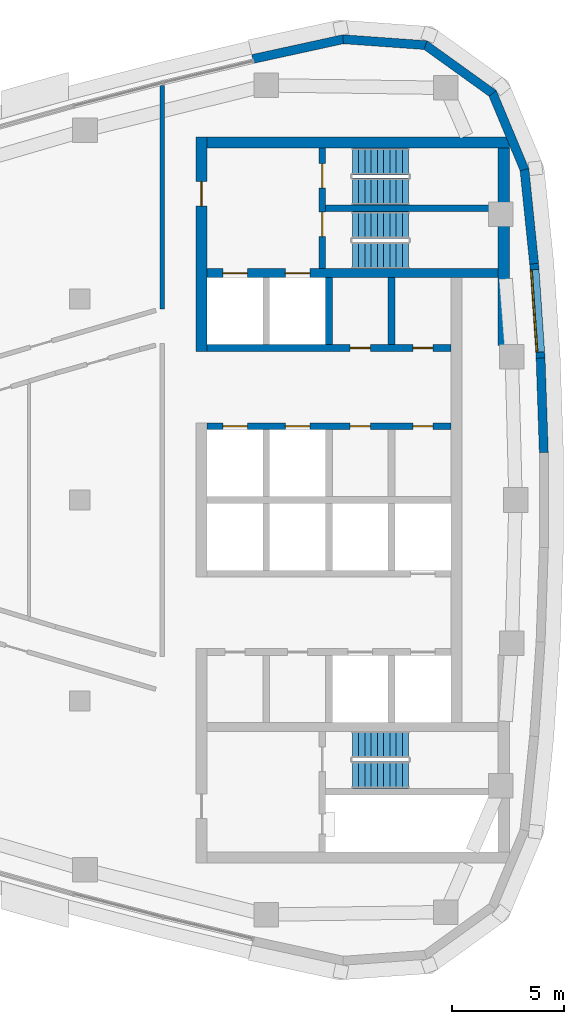
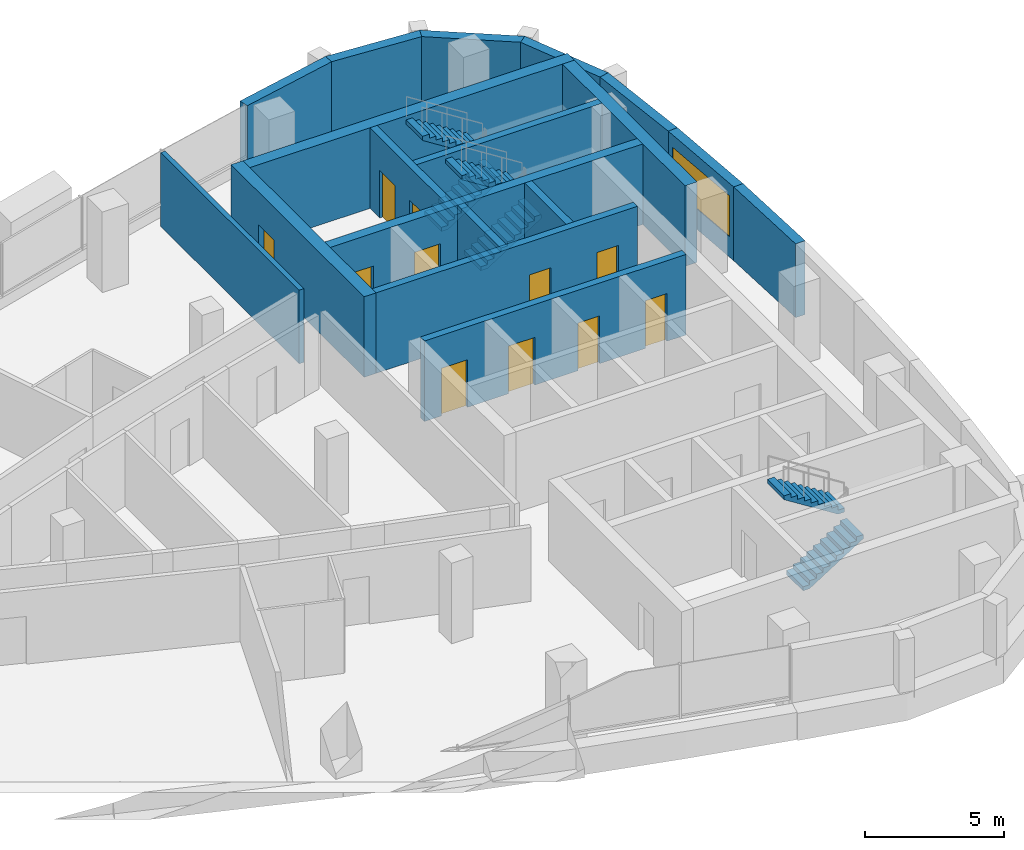
# One storey, part 9 of 13: 18 walls, 11 doors, 6 stair flights, 1 window, 12 openings, 3 elements without a shape of their own.
"""IFC4 building model written with IfcOpenShell, lengths in metres."""

from ifc_helpers import new_model, si_unit, direction, frame, frame_2d, origin, place, context, subcontext, project, spatial, polyline, rectangle, outline, extrude, material, layer, layer_set, type_object, element, fill, aggregate, save


model = new_model("IFC4")

# Units and contexts
model_context = context("Model", 3, precision=1e-05, world=origin(), true_north=direction((0.0, 1.0)))
body_context = subcontext(model_context, "Body", "Model", "MODEL_VIEW")
ifc_project = project(units=[si_unit("LENGTHUNIT", "METRE"), si_unit("AREAUNIT", "SQUARE_METRE"), si_unit("VOLUMEUNIT", "CUBIC_METRE"), si_unit("PLANEANGLEUNIT", "RADIAN"), si_unit("MASSUNIT", "GRAM", prefix="KILO")], contexts=[model_context])

# Site, building, storey
site_placement = place(None, origin())
site = spatial("IfcSite", under=ifc_project, at=site_placement, CompositionType="ELEMENT")
building_placement = place(site_placement, origin())
building = spatial("IfcBuilding", under=site, at=building_placement, Name="Ostrand Prow Hotel Tower", CompositionType="ELEMENT")
storey_placement = place(building_placement, frame((0.0, 0.0, 282.10009765625)))
storey = spatial("IfcBuildingStorey", under=building, at=storey_placement, Name="L71", CompositionType="ELEMENT", Elevation=282.10009765625)

# Wall, openings, doors
ifc_material_1 = material(Name="Concrete C50/60", Category="concrete")
ifc_layer_1 = layer(ifc_material_1, 0.300048828125)
ifc_layer_set_1 = layer_set([ifc_layer_1], Name="Concrete C50/60")
wall_type_1 = type_object("IfcWallType", Name="Core wall 300 C50/60", PredefinedType="SHEAR", material=ifc_layer_set_1)
wall_1_placement = place(storey_placement, frame((50.699951171875, 3.300048828125, 0.0), z_axis=(0.0, 0.0, 1.0), x_axis=(1.0, 0.0, 0.0)))
wall_1 = element("IfcWall", 1, at=wall_1_placement, inside=storey, type_object=wall_type_1, Name="Core wall PW-L1-N", PredefinedType="SHEAR", context=body_context, shape_type="SweptSolid", body=[
    extrude(rectangle(XDim=10.900146484375, YDim=0.300048828125, at=frame_2d((5.4501953125, 0.0))), origin(), (0.0, 0.0, 1.0), 3.5498046875),
])
opening_1_placement = place(wall_1_placement, frame((0.699951171875, 0.0, 0.0)))
opening_1 = element("IfcOpeningElement", 2, at=opening_1_placement, cuts=wall_1, Name="Opening LD", PredefinedType="OPENING", context=body_context, shape_type="SweptSolid", body=[
    extrude(rectangle(XDim=1.10009765625, YDim=2.10009765625, at=frame_2d((0.550048828125, 1.050048828125))), frame((0.0, 0.159912109375, 0.0), z_axis=(0.0, -1.0, 0.0), x_axis=(1.0, 0.0, 0.0)), (0.0, 0.0, 1.0), 0.320068359375),
])
opening_2_placement = place(wall_1_placement, frame((3.5, 0.0, 0.0)))
opening_2 = element("IfcOpeningElement", 3, at=opening_2_placement, cuts=wall_1, Name="Opening LD", PredefinedType="OPENING", context=body_context, shape_type="SweptSolid", body=[
    extrude(rectangle(XDim=1.10009765625, YDim=2.10009765625, at=frame_2d((0.550048828125, 1.050048828125))), frame((0.0, 0.159912109375, 0.0), z_axis=(0.0, -1.0, 0.0), x_axis=(1.0, 0.0, 0.0)), (0.0, 0.0, 1.0), 0.320068359375),
])
opening_3_placement = place(wall_1_placement, frame((6.39990234375, 0.0, 0.0)))
opening_3 = element("IfcOpeningElement", 4, at=opening_3_placement, cuts=wall_1, Name="Opening FD2", PredefinedType="OPENING", context=body_context, shape_type="SweptSolid", body=[
    extrude(rectangle(XDim=0.89990234375, YDim=2.10009765625, at=frame_2d((0.449951171875, 1.050048828125))), frame((0.0, 0.159912109375, 0.0), z_axis=(0.0, -1.0, 0.0), x_axis=(1.0, 0.0, 0.0)), (0.0, 0.0, 1.0), 0.320068359375),
])
opening_4_placement = place(wall_1_placement, frame((9.199951171875, 0.0, 0.0)))
opening_4 = element("IfcOpeningElement", 5, at=opening_4_placement, cuts=wall_1, Name="Opening FD2", PredefinedType="OPENING", context=body_context, shape_type="SweptSolid", body=[
    extrude(rectangle(XDim=0.89990234375, YDim=2.10009765625, at=frame_2d((0.449951171875, 1.050048828125))), frame((0.0, 0.159912109375, 0.0), z_axis=(0.0, -1.0, 0.0), x_axis=(1.0, 0.0, 0.0)), (0.0, 0.0, 1.0), 0.320068359375),
])
ifc_material_2 = material(Name="Steel fire door", Category="steel")
door_type_1 = type_object("IfcDoorType", Name="Fire door 900 EI120", OperationType="SINGLE_SWING_LEFT", PredefinedType="DOOR", material=ifc_material_2)
door_1_placement = place(opening_3_placement, origin())
door_1 = element("IfcDoor", 6, at=door_1_placement, inside=storey, type_object=door_type_1, Name="DOOR", OperationType="SINGLE_SWING_LEFT", OverallHeight=2.10009765625, OverallWidth=0.89990234375, PredefinedType="DOOR", context=body_context, shape_type="SweptSolid", body=[
    extrude(rectangle(XDim=0.89990234375, YDim=2.10009765625, at=frame_2d((0.449951171875, 1.050048828125))), frame((0.0, 0.02490234375, 0.0), z_axis=(0.0, -1.0, 0.0), x_axis=(1.0, 0.0, 0.0)), (0.0, 0.0, 1.0), 0.050048828125),
])
fill(opening_3, door_1)
door_2_placement = place(opening_4_placement, origin())
door_2 = element("IfcDoor", 7, at=door_2_placement, inside=storey, type_object=door_type_1, Name="DOOR", OperationType="SINGLE_SWING_LEFT", OverallHeight=2.10009765625, OverallWidth=0.89990234375, PredefinedType="DOOR", context=body_context, shape_type="SweptSolid", body=[
    extrude(rectangle(XDim=0.89990234375, YDim=2.10009765625, at=frame_2d((0.449951171875, 1.050048828125))), frame((0.0, 0.02490234375, 0.0), z_axis=(0.0, -1.0, 0.0), x_axis=(1.0, 0.0, 0.0)), (0.0, 0.0, 1.0), 0.050048828125),
])
fill(opening_4, door_2)
ifc_material_3 = material(Name="Stainless steel door", Category="steel")
door_type_2 = type_object("IfcDoorType", Name="Lift landing door 1100", OperationType="DOUBLE_DOOR_SLIDING", PredefinedType="DOOR", material=ifc_material_3)
door_3_placement = place(opening_1_placement, origin())
door_3 = element("IfcDoor", 8, at=door_3_placement, inside=storey, type_object=door_type_2, Name="LIFT LANDING DOOR", OperationType="DOUBLE_DOOR_SLIDING", OverallHeight=2.10009765625, OverallWidth=1.10009765625, PredefinedType="DOOR", context=body_context, shape_type="SweptSolid", body=[
    extrude(rectangle(XDim=1.10009765625, YDim=2.10009765625, at=frame_2d((0.550048828125, 1.050048828125))), frame((0.0, 0.02490234375, 0.0), z_axis=(0.0, -1.0, 0.0), x_axis=(1.0, 0.0, 0.0)), (0.0, 0.0, 1.0), 0.050048828125),
])
fill(opening_1, door_3)
door_4_placement = place(opening_2_placement, origin())
door_4 = element("IfcDoor", 9, at=door_4_placement, inside=storey, type_object=door_type_2, Name="LIFT LANDING DOOR", OperationType="DOUBLE_DOOR_SLIDING", OverallHeight=2.10009765625, OverallWidth=1.10009765625, PredefinedType="DOOR", context=body_context, shape_type="SweptSolid", body=[
    extrude(rectangle(XDim=1.10009765625, YDim=2.10009765625, at=frame_2d((0.550048828125, 1.050048828125))), frame((0.0, 0.02490234375, 0.0), z_axis=(0.0, -1.0, 0.0), x_axis=(1.0, 0.0, 0.0)), (0.0, 0.0, 1.0), 0.050048828125),
])
fill(opening_2, door_4)

wall_2_placement = place(storey_placement, frame((50.699951171875, 6.800048828125, 0.0), z_axis=(0.0, 0.0, 1.0), x_axis=(1.0, 0.0, 0.0)))
wall_2 = element("IfcWall", 10, at=wall_2_placement, inside=storey, type_object=wall_type_1, Name="Core wall PW-L2-N", PredefinedType="SHEAR", context=body_context, shape_type="SweptSolid", body=[
    extrude(rectangle(XDim=10.900146484375, YDim=0.300048828125, at=frame_2d((5.4501953125, 0.0))), origin(), (0.0, 0.0, 1.0), 3.5498046875),
])
opening_5_placement = place(wall_2_placement, frame((6.39990234375, 0.0, 0.0)))
opening_5 = element("IfcOpeningElement", 11, at=opening_5_placement, cuts=wall_2, Name="Opening FD2", PredefinedType="OPENING", context=body_context, shape_type="SweptSolid", body=[
    extrude(rectangle(XDim=0.89990234375, YDim=2.10009765625, at=frame_2d((0.449951171875, 1.050048828125))), frame((0.0, 0.159912109375, 0.0), z_axis=(0.0, -1.0, 0.0), x_axis=(1.0, 0.0, 0.0)), (0.0, 0.0, 1.0), 0.320068359375),
])
opening_6_placement = place(wall_2_placement, frame((9.199951171875, 0.0, 0.0)))
opening_6 = element("IfcOpeningElement", 12, at=opening_6_placement, cuts=wall_2, Name="Opening FD2", PredefinedType="OPENING", context=body_context, shape_type="SweptSolid", body=[
    extrude(rectangle(XDim=0.89990234375, YDim=2.10009765625, at=frame_2d((0.449951171875, 1.050048828125))), frame((0.0, 0.159912109375, 0.0), z_axis=(0.0, -1.0, 0.0), x_axis=(1.0, 0.0, 0.0)), (0.0, 0.0, 1.0), 0.320068359375),
])
door_5_placement = place(opening_5_placement, origin())
door_5 = element("IfcDoor", 13, at=door_5_placement, inside=storey, type_object=door_type_1, Name="DOOR", OperationType="SINGLE_SWING_LEFT", OverallHeight=2.10009765625, OverallWidth=0.89990234375, PredefinedType="DOOR", context=body_context, shape_type="SweptSolid", body=[
    extrude(rectangle(XDim=0.89990234375, YDim=2.10009765625, at=frame_2d((0.449951171875, 1.050048828125))), frame((0.0, 0.02490234375, 0.0), z_axis=(0.0, -1.0, 0.0), x_axis=(1.0, 0.0, 0.0)), (0.0, 0.0, 1.0), 0.050048828125),
])
fill(opening_5, door_5)
door_6_placement = place(opening_6_placement, origin())
door_6 = element("IfcDoor", 14, at=door_6_placement, inside=storey, type_object=door_type_1, Name="DOOR", OperationType="SINGLE_SWING_LEFT", OverallHeight=2.10009765625, OverallWidth=0.89990234375, PredefinedType="DOOR", context=body_context, shape_type="SweptSolid", body=[
    extrude(rectangle(XDim=0.89990234375, YDim=2.10009765625, at=frame_2d((0.449951171875, 1.050048828125))), frame((0.0, 0.02490234375, 0.0), z_axis=(0.0, -1.0, 0.0), x_axis=(1.0, 0.0, 0.0)), (0.0, 0.0, 1.0), 0.050048828125),
])
fill(opening_6, door_6)

# Walls
for number, where, z_axis, x_axis, name in (
    (15, (56.14990234375, 6.949951171875, 0.0), (0.0, 0.0, 1.0), (0.0, 1.0, 0.0), "Core wall PW-R2-NA"),
    (16, (58.949951171875, 6.949951171875, 0.0), (0.0, 0.0, 1.0), (0.0, 1.0, 0.0), "Core wall PW-R3-NA"),
):
    element("IfcWall", number, at=place(storey_placement, frame(where, z_axis=z_axis, x_axis=x_axis)), inside=storey, type_object=wall_type_1, Name=name, PredefinedType="SHEAR", context=body_context, shape_type="SweptSolid", body=[
        extrude(rectangle(XDim=3.0, YDim=0.300048828125, at=frame_2d((1.5, 0.0))), origin(), (0.0, 0.0, 1.0), 3.5498046875),
    ])

# Wall, openings, doors
wall_3_placement = place(storey_placement, frame((55.85009765625, 10.35009765625, 0.0), z_axis=(0.0, 0.0, 1.0), x_axis=(0.0, 1.0, 0.0)))
wall_3 = element("IfcWall", 17, at=wall_3_placement, inside=storey, type_object=wall_type_1, Name="Core wall PW-VN", PredefinedType="SHEAR", context=body_context, shape_type="SweptSolid", body=[
    extrude(rectangle(XDim=5.39990234375, YDim=0.300048828125, at=frame_2d((2.699951171875, 0.0))), origin(), (0.0, 0.0, 1.0), 3.5498046875),
])
opening_7_placement = place(wall_3_placement, frame((1.429931640625, 0.0, 0.0)))
opening_7 = element("IfcOpeningElement", 18, at=opening_7_placement, cuts=wall_3, Name="Opening FD1", PredefinedType="OPENING", context=body_context, shape_type="SweptSolid", body=[
    extrude(rectangle(XDim=1.10009765625, YDim=2.10009765625, at=frame_2d((0.550048828125, 1.050048828125))), frame((0.0, 0.159912109375, 0.0), z_axis=(0.0, -1.0, 0.0), x_axis=(1.0, 0.0, 0.0)), (0.0, 0.0, 1.0), 0.320068359375),
])
opening_8_placement = place(wall_3_placement, frame((3.60009765625, 0.0, 0.0)))
opening_8 = element("IfcOpeningElement", 19, at=opening_8_placement, cuts=wall_3, Name="Opening FD1", PredefinedType="OPENING", context=body_context, shape_type="SweptSolid", body=[
    extrude(rectangle(XDim=1.10009765625, YDim=2.10009765625, at=frame_2d((0.550048828125, 1.050048828125))), frame((0.0, 0.159912109375, 0.0), z_axis=(0.0, -1.0, 0.0), x_axis=(1.0, 0.0, 0.0)), (0.0, 0.0, 1.0), 0.320068359375),
])
ifc_material_4 = material(Name="Steel fire door", Category="steel")
door_type_3 = type_object("IfcDoorType", Name="Fire door 1100 EI120", OperationType="SINGLE_SWING_RIGHT", PredefinedType="DOOR", material=ifc_material_4)
door_7_placement = place(opening_7_placement, origin())
door_7 = element("IfcDoor", 20, at=door_7_placement, inside=storey, type_object=door_type_3, Name="FIRE DOOR", OperationType="SINGLE_SWING_RIGHT", OverallHeight=2.10009765625, OverallWidth=1.10009765625, PredefinedType="DOOR", context=body_context, shape_type="SweptSolid", body=[
    extrude(rectangle(XDim=1.10009765625, YDim=2.10009765625, at=frame_2d((0.550048828125, 1.050048828125))), frame((0.0, 0.02490234375, 0.0), z_axis=(0.0, -1.0, 0.0), x_axis=(1.0, 0.0, 0.0)), (0.0, 0.0, 1.0), 0.050048828125),
])
fill(opening_7, door_7)
door_8_placement = place(opening_8_placement, origin())
door_8 = element("IfcDoor", 21, at=door_8_placement, inside=storey, type_object=door_type_3, Name="FIRE DOOR", OperationType="SINGLE_SWING_RIGHT", OverallHeight=2.10009765625, OverallWidth=1.10009765625, PredefinedType="DOOR", context=body_context, shape_type="SweptSolid", body=[
    extrude(rectangle(XDim=1.10009765625, YDim=2.10009765625, at=frame_2d((0.550048828125, 1.050048828125))), frame((0.0, 0.02490234375, 0.0), z_axis=(0.0, -1.0, 0.0), x_axis=(1.0, 0.0, 0.0)), (0.0, 0.0, 1.0), 0.050048828125),
])
fill(opening_8, door_8)

# Wall
wall_4_placement = place(storey_placement, frame((56.0, 13.050048828125, 0.0), z_axis=(0.0, 0.0, 1.0), x_axis=(1.0, 0.0, 0.0)))
element("IfcWall", 22, at=wall_4_placement, inside=storey, type_object=wall_type_1, Name="Core wall PW-ST13", PredefinedType="SHEAR", context=body_context, shape_type="SweptSolid", body=[
    extrude(rectangle(XDim=7.719970703125, YDim=0.300048828125, at=frame_2d((3.85986328125, 0.0))), origin(), (0.0, 0.0, 1.0), 3.5498046875),
])

# Wall, openings, doors
ifc_material_5 = material(Name="Concrete C50/60", Category="concrete")
ifc_layer_2 = layer(ifc_material_5, 0.39990234375)
ifc_layer_set_2 = layer_set([ifc_layer_2], Name="Concrete C50/60")
wall_type_2 = type_object("IfcWallType", Name="Core wall 400 C50/60", PredefinedType="SHEAR", material=ifc_layer_set_2)
wall_5_placement = place(storey_placement, frame((50.699951171875, 10.14990234375, 0.0), z_axis=(0.0, 0.0, 1.0), x_axis=(1.0, 0.0, 0.0)))
wall_5 = element("IfcWall", 23, at=wall_5_placement, inside=storey, type_object=wall_type_2, Name="Core wall PW-BN", PredefinedType="SHEAR", context=body_context, shape_type="SweptSolid", body=[
    extrude(rectangle(XDim=13.02001953125, YDim=0.39990234375, at=frame_2d((6.510009765625, 0.0))), origin(), (0.0, 0.0, 1.0), 3.5498046875),
])
opening_9_placement = place(wall_5_placement, frame((0.699951171875, 0.0, 0.0)))
opening_9 = element("IfcOpeningElement", 24, at=opening_9_placement, cuts=wall_5, Name="Opening LD", PredefinedType="OPENING", context=body_context, shape_type="SweptSolid", body=[
    extrude(rectangle(XDim=1.10009765625, YDim=2.10009765625, at=frame_2d((0.550048828125, 1.050048828125))), frame((0.0, 0.2099609375, 0.0), z_axis=(0.0, -1.0, 0.0), x_axis=(1.0, 0.0, 0.0)), (0.0, 0.0, 1.0), 0.419921875),
])
opening_10_placement = place(wall_5_placement, frame((3.5, 0.0, 0.0)))
opening_10 = element("IfcOpeningElement", 25, at=opening_10_placement, cuts=wall_5, Name="Opening LD", PredefinedType="OPENING", context=body_context, shape_type="SweptSolid", body=[
    extrude(rectangle(XDim=1.10009765625, YDim=2.10009765625, at=frame_2d((0.550048828125, 1.050048828125))), frame((0.0, 0.2099609375, 0.0), z_axis=(0.0, -1.0, 0.0), x_axis=(1.0, 0.0, 0.0)), (0.0, 0.0, 1.0), 0.419921875),
])
door_9_placement = place(opening_9_placement, origin())
door_9 = element("IfcDoor", 26, at=door_9_placement, inside=storey, type_object=door_type_2, Name="LIFT LANDING DOOR", OperationType="DOUBLE_DOOR_SLIDING", OverallHeight=2.10009765625, OverallWidth=1.10009765625, PredefinedType="DOOR", context=body_context, shape_type="SweptSolid", body=[
    extrude(rectangle(XDim=1.10009765625, YDim=2.10009765625, at=frame_2d((0.550048828125, 1.050048828125))), frame((0.0, 0.02490234375, 0.0), z_axis=(0.0, -1.0, 0.0), x_axis=(1.0, 0.0, 0.0)), (0.0, 0.0, 1.0), 0.050048828125),
])
fill(opening_9, door_9)
door_10_placement = place(opening_10_placement, origin())
door_10 = element("IfcDoor", 27, at=door_10_placement, inside=storey, type_object=door_type_2, Name="LIFT LANDING DOOR", OperationType="DOUBLE_DOOR_SLIDING", OverallHeight=2.10009765625, OverallWidth=1.10009765625, PredefinedType="DOOR", context=body_context, shape_type="SweptSolid", body=[
    extrude(rectangle(XDim=1.10009765625, YDim=2.10009765625, at=frame_2d((0.550048828125, 1.050048828125))), frame((0.0, 0.02490234375, 0.0), z_axis=(0.0, -1.0, 0.0), x_axis=(1.0, 0.0, 0.0)), (0.0, 0.0, 1.0), 0.050048828125),
])
fill(opening_10, door_10)

# Wall, opening, door
ifc_material_6 = material(Name="Concrete C50/60", Category="concrete")
ifc_layer_3 = layer(ifc_material_6, 0.5)
ifc_layer_set_3 = layer_set([ifc_layer_3], Name="Concrete C50/60")
wall_type_3 = type_object("IfcWallType", Name="Core wall 500 C50/60", PredefinedType="SHEAR", material=ifc_layer_set_3)
wall_6_placement = place(storey_placement, frame((50.449951171875, 6.64990234375, 0.0), z_axis=(0.0, 0.0, 1.0), x_axis=(0.0, 1.0, 0.0)))
wall_6 = element("IfcWall", 28, at=wall_6_placement, inside=storey, type_object=wall_type_3, Name="Core wall CW-W-N", PredefinedType="SHEAR", context=body_context, shape_type="SweptSolid", body=[
    extrude(rectangle(XDim=9.60009765625, YDim=0.5, at=frame_2d((4.800048828125, 0.0))), origin(), (0.0, 0.0, 1.0), 3.5498046875),
])
opening_11_placement = place(wall_6_placement, frame((6.5, 0.0, 0.0)))
opening_11 = element("IfcOpeningElement", 29, at=opening_11_placement, cuts=wall_6, Name="Opening FD1", PredefinedType="OPENING", context=body_context, shape_type="SweptSolid", body=[
    extrude(rectangle(XDim=1.10009765625, YDim=2.10009765625, at=frame_2d((0.550048828125, 1.050048828125))), frame((0.0, 0.260009765625, 0.0), z_axis=(0.0, -1.0, 0.0), x_axis=(1.0, 0.0, 0.0)), (0.0, 0.0, 1.0), 0.52001953125),
])
door_11_placement = place(opening_11_placement, origin())
door_11 = element("IfcDoor", 30, at=door_11_placement, inside=storey, type_object=door_type_3, Name="FIRE DOOR", OperationType="SINGLE_SWING_RIGHT", OverallHeight=2.10009765625, OverallWidth=1.10009765625, PredefinedType="DOOR", context=body_context, shape_type="SweptSolid", body=[
    extrude(rectangle(XDim=1.10009765625, YDim=2.10009765625, at=frame_2d((0.550048828125, 1.050048828125))), frame((0.0, 0.02490234375, 0.0), z_axis=(0.0, -1.0, 0.0), x_axis=(1.0, 0.0, 0.0)), (0.0, 0.0, 1.0), 0.050048828125),
])
fill(opening_11, door_11)

# Walls
wall_7_placement = place(storey_placement, frame((50.699951171875, 16.0, 0.0), z_axis=(0.0, 0.0, 1.0), x_axis=(1.0, 0.0, 0.0)))
element("IfcWall", 31, at=wall_7_placement, inside=storey, type_object=wall_type_3, Name="Core wall CW-N", PredefinedType="SHEAR", context=body_context, shape_type="SweptSolid", body=[
    extrude(rectangle(XDim=13.52001953125, YDim=0.5, at=frame_2d((6.760009765625, 0.0))), origin(), (0.0, 0.0, 1.0), 3.5498046875),
])
wall_8_placement = place(storey_placement, frame((63.969970703125, 6.9033203125, 0.0), z_axis=(0.0, 0.0, 1.0), x_axis=(0.0, 1.0, 0.0)))
element("IfcWall", 32, at=wall_8_placement, inside=storey, type_object=wall_type_3, Name="Core wall CW-E-N", PredefinedType="SHEAR", context=body_context, shape_type="SweptSolid", body=[
    extrude(rectangle(XDim=8.8466796875, YDim=0.5, at=frame_2d((4.42333984375, 0.0))), origin(), (0.0, 0.0, 1.0), 3.5498046875),
])
ifc_material_7 = material(Name="Plasterboard partition")
ifc_layer_4 = layer(ifc_material_7, 0.199951171875)
ifc_layer_set_4 = layer_set([ifc_layer_4], Name="Plasterboard partition")
wall_type_4 = type_object("IfcWallType", Name="Partition 200 corridor wall", PredefinedType="PARTITIONING", material=ifc_layer_set_4)
wall_9_placement = place(storey_placement, frame((48.695068359375, 18.552978515625, 0.0), z_axis=(0.0, 0.0, 1.0), x_axis=(0.0, -1.0, 0.0)))
element("IfcWall", 33, at=wall_9_placement, inside=storey, type_object=wall_type_4, Name="CORRIDOR WALL", PredefinedType="PARTITIONING", context=body_context, shape_type="SweptSolid", body=[
    extrude(rectangle(XDim=9.99658203125, YDim=0.199951171875, at=frame_2d((4.998291015625, 0.0))), origin(), (0.0, 0.0, 1.0), 3.25),
])
ifc_material_8 = material(Name="Precast concrete C40/50", Category="concrete")
ifc_layer_5 = layer(ifc_material_8, 0.39990234375)
ifc_layer_set_5 = layer_set([ifc_layer_5], Name="Precast concrete C40/50")
wall_type_5 = type_object("IfcWallType", Name="Stone-faced precast wall 400 mm", PredefinedType="NOTDEFINED", material=ifc_layer_set_5)
wall_10_placement = place(storey_placement, frame((65.764404296875, 2.11669921875, 0.0), z_axis=(0.0, 0.0, 1.0), x_axis=(-0.034082898699, 0.999419009233, 0.0)))
element("IfcWall", 34, at=wall_10_placement, inside=storey, type_object=wall_type_5, Name="Stone-faced wall back 9", PredefinedType="NOTDEFINED", context=body_context, shape_type="SweptSolid", body=[
    extrude(outline(polyline([(-0.00341796875, -0.199951171875), (4.23681640625, -0.199951171875), (4.22998046875, 0.199951171875), (0.00341796875, 0.199951171875), (-0.00341796875, -0.199951171875)])), origin(), (0.0, 0.0, 1.0), 3.25),
])

# Wall, opening, window
wall_11_placement = place(storey_placement, frame((65.6201171875, 6.34765625, 0.0), z_axis=(0.0, 0.0, 1.0), x_axis=(-0.068279584479, 0.997666225921, 0.0)))
wall_11 = element("IfcWall", 35, at=wall_11_placement, inside=storey, type_object=wall_type_5, Name="Stone-faced wall back 10", PredefinedType="NOTDEFINED", context=body_context, shape_type="SweptSolid", body=[
    extrude(outline(polyline([(-0.00341796875, -0.199951171875), (4.23681640625, -0.199951171875), (4.22998046875, 0.199951171875), (0.00341796875, 0.199951171875), (-0.00341796875, -0.199951171875)])), origin(), (0.0, 0.0, 1.0), 3.25),
])
opening_12_placement = place(wall_11_placement, frame((0.2666015625, 0.0, 0.89990234375)))
opening_12 = element("IfcOpeningElement", 36, at=opening_12_placement, cuts=wall_11, Name="Opening WS3-37", PredefinedType="OPENING", context=body_context, shape_type="SweptSolid", body=[
    extrude(rectangle(XDim=3.699951171875, YDim=1.800048828125, at=frame_2d((1.85009765625, 0.89990234375))), frame((0.0, 0.2099609375, 0.0), z_axis=(0.0, -1.0, 0.0), x_axis=(1.0, 0.0, 0.0)), (0.0, 0.0, 1.0), 0.419921875),
])
ifc_material_9 = material(Name="Insulated glass in bronze frame", Category="glass")
window_type = type_object("IfcWindowType", Name="Strip window 3700x1800", PartitioningType="SINGLE_PANEL", PredefinedType="WINDOW", material=ifc_material_9)
window_placement = place(opening_12_placement, origin())
window = element("IfcWindow", 37, at=window_placement, inside=storey, type_object=window_type, Name="Window back 10.1", OverallHeight=1.800048828125, OverallWidth=3.699951171875, PartitioningType="SINGLE_PANEL", PredefinedType="WINDOW", context=body_context, shape_type="SweptSolid", body=[
    extrude(rectangle(XDim=3.699951171875, YDim=1.800048828125, at=frame_2d((1.85009765625, 0.89990234375))), frame((0.0, 0.169921875, 0.0), z_axis=(0.0, -1.0, 0.0), x_axis=(1.0, 0.0, 0.0)), (0.0, 0.0, 1.0), 0.06005859375),
])
fill(opening_12, window)

# Walls
wall_12_placement = place(storey_placement, frame((65.3310546875, 10.5712890625, 0.0), z_axis=(0.0, 0.0, 1.0), x_axis=(-0.102249826987, 0.994758751096, 0.0)))
element("IfcWall", 38, at=wall_12_placement, inside=storey, type_object=wall_type_5, Name="Stone-faced wall back 11", PredefinedType="NOTDEFINED", context=body_context, shape_type="SweptSolid", body=[
    extrude(outline(polyline([(-0.00341796875, -0.199951171875), (4.262939453125, -0.199951171875), (4.203857421875, 0.199951171875), (0.00341796875, 0.199951171875), (-0.00341796875, -0.199951171875)])), origin(), (0.0, 0.0, 1.0), 3.25),
])
wall_13_placement = place(storey_placement, frame((64.898193359375, 14.782470703125, 0.0), z_axis=(0.0, 0.0, 1.0), x_axis=(-0.385285857918, 0.922797273343, 0.0)))
element("IfcWall", 39, at=wall_13_placement, inside=storey, type_object=wall_type_5, Name="Stone-faced wall back 12", PredefinedType="NOTDEFINED", context=body_context, shape_type="SweptSolid", body=[
    extrude(outline(polyline([(-0.029541015625, -0.199951171875), (3.75341796875, -0.199951171875), (3.64013671875, 0.199951171875), (0.029541015625, 0.199951171875), (-0.029541015625, -0.199951171875)])), origin(), (0.0, 0.0, 1.0), 3.25),
])
wall_14_placement = place(storey_placement, frame((63.473876953125, 18.19384765625, 0.0), z_axis=(0.0, 0.0, 1.0), x_axis=(-0.811962548682, 0.583709533533, 0.0)))
element("IfcWall", 40, at=wall_14_placement, inside=storey, type_object=wall_type_5, Name="Stone-faced wall back 13", PredefinedType="NOTDEFINED", context=body_context, shape_type="SweptSolid", body=[
    extrude(outline(polyline([(-0.056640625, -0.199951171875), (3.753173828125, -0.199951171875), (3.639892578125, 0.199951171875), (0.056640625, 0.199951171875), (-0.056640625, -0.199951171875)])), origin(), (0.0, 0.0, 1.0), 3.25),
])
wall_15_placement = place(storey_placement, frame((60.472412109375, 20.3515625, 0.0), z_axis=(0.0, 0.0, 1.0), x_axis=(-0.99746272096, 0.071190731806, 0.0)))
element("IfcWall", 41, at=wall_15_placement, inside=storey, type_object=wall_type_5, Name="Stone-faced wall back 14", PredefinedType="NOTDEFINED", context=body_context, shape_type="SweptSolid", body=[
    extrude(outline(polyline([(-0.056640625, -0.199951171875), (3.7255859375, -0.199951171875), (3.66796875, 0.199951171875), (0.056640625, 0.199951171875), (-0.056640625, -0.199951171875)])), origin(), (0.0, 0.0, 1.0), 3.25),
])
wall_16_placement = place(storey_placement, frame((56.784912109375, 20.61474609375, 0.0), z_axis=(0.0, 0.0, 1.0), x_axis=(-0.977020225348, -0.213146614471, 0.0)))
element("IfcWall", 42, at=wall_16_placement, inside=storey, type_object=wall_type_5, Name="Stone-faced wall back 15", PredefinedType="NOTDEFINED", context=body_context, shape_type="SweptSolid", body=[
    extrude(outline(polyline([(-0.02880859375, -0.199951171875), (4.141845703125, -0.199951171875), (4.141845703125, 0.199951171875), (0.02880859375, 0.199951171875), (-0.02880859375, -0.199951171875)])), origin(), (0.0, 0.0, 1.0), 3.25),
])

# Stair, stair flights
ifc_material_10 = material(Name="Concrete C40/50", Category="concrete")
stair_type = type_object("IfcStairType", Name="Exit stair 1200 upper zone", PredefinedType="HALF_TURN_STAIR", material=ifc_material_10)
stair_1_placement = place(storey_placement, origin())
stair_1 = element("IfcStair", 43, at=stair_1_placement, inside=storey, type_object=stair_type, Name="L71 ST1C", PredefinedType="HALF_TURN_STAIR")
ifc_material_11 = material(Name="Concrete C40/50", Category="concrete")
stair_flight_type = type_object("IfcStairFlightType", Name="Stair flight 1200 concrete", PredefinedType="STRAIGHT", material=ifc_material_11)
stair_flight_1_placement = place(storey_placement, frame((57.199951171875, 10.949951171875, 0.0), z_axis=(0.0, 0.0, 1.0), x_axis=(1.0, 0.0, 0.0)))
stair_flight_1 = element("IfcStairFlight", 44, at=stair_flight_1_placement, type_object=stair_flight_type, Name="ST1C flight 1", NumberOfRisers=10, NumberOfTreads=9, PredefinedType="STRAIGHT", RiserHeight=0.1775, TreadLength=0.28, context=body_context, shape_type="SweptSolid", body=[
    extrude(outline(polyline([(0.0, 0.0), (0.0, 0.177490234375), (0.280029296875, 0.177490234375), (0.280029296875, 0.35498046875), (0.56005859375, 0.35498046875), (0.56005859375, 0.532470703125), (0.840087890625, 0.532470703125), (0.840087890625, 0.7099609375), (1.1201171875, 0.7099609375), (1.1201171875, 0.887451171875), (1.39990234375, 0.887451171875), (1.39990234375, 1.06494140625), (1.679931640625, 1.06494140625), (1.679931640625, 1.242431640625), (1.9599609375, 1.242431640625), (1.9599609375, 1.419921875), (2.239990234375, 1.419921875), (2.239990234375, 1.597412109375), (2.52001953125, 1.597412109375), (2.52001953125, 1.77490234375), (2.52001953125, 1.419921875), (0.280029296875, 0.0), (0.0, 0.0)])), frame((0.0, 0.60009765625, 0.0), z_axis=(0.0, -1.0, 0.0), x_axis=(1.0, 0.0, 0.0)), (0.0, 0.0, 1.0), 1.199951171875),
])
stair_flight_2_placement = place(storey_placement, frame((59.719970703125, 12.300048828125, 1.77490234375), z_axis=(0.0, 0.0, 1.0), x_axis=(-1.0, 0.0, 0.0)))
stair_flight_2 = element("IfcStairFlight", 45, at=stair_flight_2_placement, type_object=stair_flight_type, Name="ST1C flight 2", NumberOfRisers=10, NumberOfTreads=9, PredefinedType="STRAIGHT", RiserHeight=0.1775, TreadLength=0.28, context=body_context, shape_type="SweptSolid", body=[
    extrude(outline(polyline([(0.0, 0.0), (0.0, 0.177490234375), (0.280029296875, 0.177490234375), (0.280029296875, 0.35498046875), (0.56005859375, 0.35498046875), (0.56005859375, 0.532470703125), (0.840087890625, 0.532470703125), (0.840087890625, 0.7099609375), (1.1201171875, 0.7099609375), (1.1201171875, 0.887451171875), (1.39990234375, 0.887451171875), (1.39990234375, 1.06494140625), (1.679931640625, 1.06494140625), (1.679931640625, 1.242431640625), (1.9599609375, 1.242431640625), (1.9599609375, 1.419921875), (2.239990234375, 1.419921875), (2.239990234375, 1.597412109375), (2.52001953125, 1.597412109375), (2.52001953125, 1.77490234375), (2.52001953125, 1.419921875), (0.280029296875, 0.0), (0.0, 0.0)])), frame((0.0, 0.60009765625, 0.0), z_axis=(0.0, -1.0, 0.0), x_axis=(1.0, 0.0, 0.0)), (0.0, 0.0, 1.0), 1.199951171875),
])
aggregate(stair_1, [stair_flight_1, stair_flight_2])

stair_2_placement = place(storey_placement, origin())
stair_2 = element("IfcStair", 46, at=stair_2_placement, inside=storey, type_object=stair_type, Name="L71 ST3C", PredefinedType="HALF_TURN_STAIR")
stair_flight_3_placement = place(storey_placement, frame((57.199951171875, 13.800048828125, 0.0), z_axis=(0.0, 0.0, 1.0), x_axis=(1.0, 0.0, 0.0)))
stair_flight_3 = element("IfcStairFlight", 47, at=stair_flight_3_placement, type_object=stair_flight_type, Name="ST3C flight 1", NumberOfRisers=10, NumberOfTreads=9, PredefinedType="STRAIGHT", RiserHeight=0.1775, TreadLength=0.28, context=body_context, shape_type="SweptSolid", body=[
    extrude(outline(polyline([(0.0, 0.0), (0.0, 0.177490234375), (0.280029296875, 0.177490234375), (0.280029296875, 0.35498046875), (0.56005859375, 0.35498046875), (0.56005859375, 0.532470703125), (0.840087890625, 0.532470703125), (0.840087890625, 0.7099609375), (1.1201171875, 0.7099609375), (1.1201171875, 0.887451171875), (1.39990234375, 0.887451171875), (1.39990234375, 1.06494140625), (1.679931640625, 1.06494140625), (1.679931640625, 1.242431640625), (1.9599609375, 1.242431640625), (1.9599609375, 1.419921875), (2.239990234375, 1.419921875), (2.239990234375, 1.597412109375), (2.52001953125, 1.597412109375), (2.52001953125, 1.77490234375), (2.52001953125, 1.419921875), (0.280029296875, 0.0), (0.0, 0.0)])), frame((0.0, 0.60009765625, 0.0), z_axis=(0.0, -1.0, 0.0), x_axis=(1.0, 0.0, 0.0)), (0.0, 0.0, 1.0), 1.199951171875),
])
stair_flight_4_placement = place(storey_placement, frame((59.719970703125, 15.14990234375, 1.77490234375), z_axis=(0.0, 0.0, 1.0), x_axis=(-1.0, 0.0, 0.0)))
stair_flight_4 = element("IfcStairFlight", 48, at=stair_flight_4_placement, type_object=stair_flight_type, Name="ST3C flight 2", NumberOfRisers=10, NumberOfTreads=9, PredefinedType="STRAIGHT", RiserHeight=0.1775, TreadLength=0.28, context=body_context, shape_type="SweptSolid", body=[
    extrude(outline(polyline([(0.0, 0.0), (0.0, 0.177490234375), (0.280029296875, 0.177490234375), (0.280029296875, 0.35498046875), (0.56005859375, 0.35498046875), (0.56005859375, 0.532470703125), (0.840087890625, 0.532470703125), (0.840087890625, 0.7099609375), (1.1201171875, 0.7099609375), (1.1201171875, 0.887451171875), (1.39990234375, 0.887451171875), (1.39990234375, 1.06494140625), (1.679931640625, 1.06494140625), (1.679931640625, 1.242431640625), (1.9599609375, 1.242431640625), (1.9599609375, 1.419921875), (2.239990234375, 1.419921875), (2.239990234375, 1.597412109375), (2.52001953125, 1.597412109375), (2.52001953125, 1.77490234375), (2.52001953125, 1.419921875), (0.280029296875, 0.0), (0.0, 0.0)])), frame((0.0, 0.60009765625, 0.0), z_axis=(0.0, -1.0, 0.0), x_axis=(1.0, 0.0, 0.0)), (0.0, 0.0, 1.0), 1.199951171875),
])
aggregate(stair_2, [stair_flight_3, stair_flight_4])

stair_3_placement = place(storey_placement, origin())
stair_3 = element("IfcStair", 49, at=stair_3_placement, inside=storey, type_object=stair_type, Name="L71 ST2C", PredefinedType="HALF_TURN_STAIR")
stair_flight_5_placement = place(storey_placement, frame((57.199951171875, -12.300048828125, 0.0), z_axis=(0.0, 0.0, 1.0), x_axis=(1.0, 0.0, 0.0)))
stair_flight_5 = element("IfcStairFlight", 50, at=stair_flight_5_placement, type_object=stair_flight_type, Name="ST2C flight 1", NumberOfRisers=10, NumberOfTreads=9, PredefinedType="STRAIGHT", RiserHeight=0.1775, TreadLength=0.28, context=body_context, shape_type="SweptSolid", body=[
    extrude(outline(polyline([(0.0, 0.0), (0.0, 0.177490234375), (0.280029296875, 0.177490234375), (0.280029296875, 0.35498046875), (0.56005859375, 0.35498046875), (0.56005859375, 0.532470703125), (0.840087890625, 0.532470703125), (0.840087890625, 0.7099609375), (1.1201171875, 0.7099609375), (1.1201171875, 0.887451171875), (1.39990234375, 0.887451171875), (1.39990234375, 1.06494140625), (1.679931640625, 1.06494140625), (1.679931640625, 1.242431640625), (1.9599609375, 1.242431640625), (1.9599609375, 1.419921875), (2.239990234375, 1.419921875), (2.239990234375, 1.597412109375), (2.52001953125, 1.597412109375), (2.52001953125, 1.77490234375), (2.52001953125, 1.419921875), (0.280029296875, 0.0), (0.0, 0.0)])), frame((0.0, 0.60009765625, 0.0), z_axis=(0.0, -1.0, 0.0), x_axis=(1.0, 0.0, 0.0)), (0.0, 0.0, 1.0), 1.199951171875),
])
stair_flight_6_placement = place(storey_placement, frame((59.719970703125, -10.949951171875, 1.77490234375), z_axis=(0.0, 0.0, 1.0), x_axis=(-1.0, 0.0, 0.0)))
stair_flight_6 = element("IfcStairFlight", 51, at=stair_flight_6_placement, type_object=stair_flight_type, Name="ST2C flight 2", NumberOfRisers=10, NumberOfTreads=9, PredefinedType="STRAIGHT", RiserHeight=0.1775, TreadLength=0.28, context=body_context, shape_type="SweptSolid", body=[
    extrude(outline(polyline([(0.0, 0.0), (0.0, 0.177490234375), (0.280029296875, 0.177490234375), (0.280029296875, 0.35498046875), (0.56005859375, 0.35498046875), (0.56005859375, 0.532470703125), (0.840087890625, 0.532470703125), (0.840087890625, 0.7099609375), (1.1201171875, 0.7099609375), (1.1201171875, 0.887451171875), (1.39990234375, 0.887451171875), (1.39990234375, 1.06494140625), (1.679931640625, 1.06494140625), (1.679931640625, 1.242431640625), (1.9599609375, 1.242431640625), (1.9599609375, 1.419921875), (2.239990234375, 1.419921875), (2.239990234375, 1.597412109375), (2.52001953125, 1.597412109375), (2.52001953125, 1.77490234375), (2.52001953125, 1.419921875), (0.280029296875, 0.0), (0.0, 0.0)])), frame((0.0, 0.60009765625, 0.0), z_axis=(0.0, -1.0, 0.0), x_axis=(1.0, 0.0, 0.0)), (0.0, 0.0, 1.0), 1.199951171875),
])
aggregate(stair_3, [stair_flight_5, stair_flight_6])

save(model, "model.ifc")
